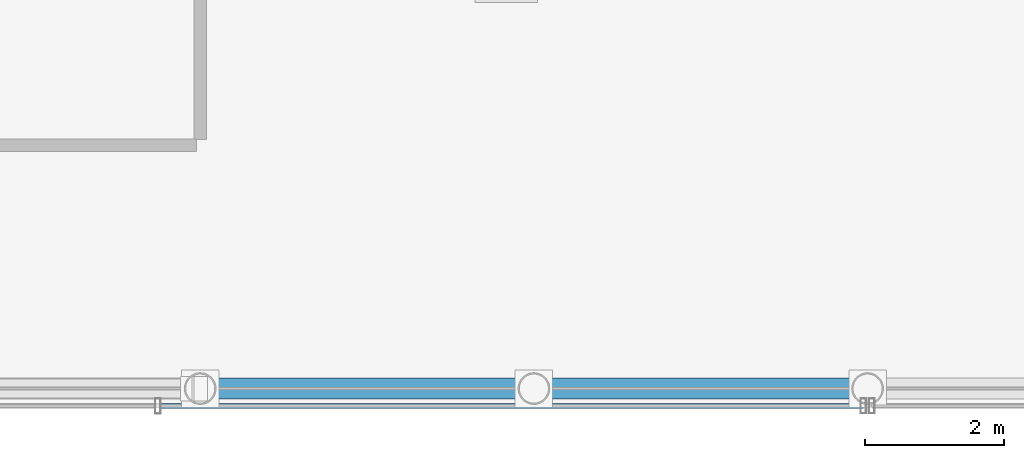
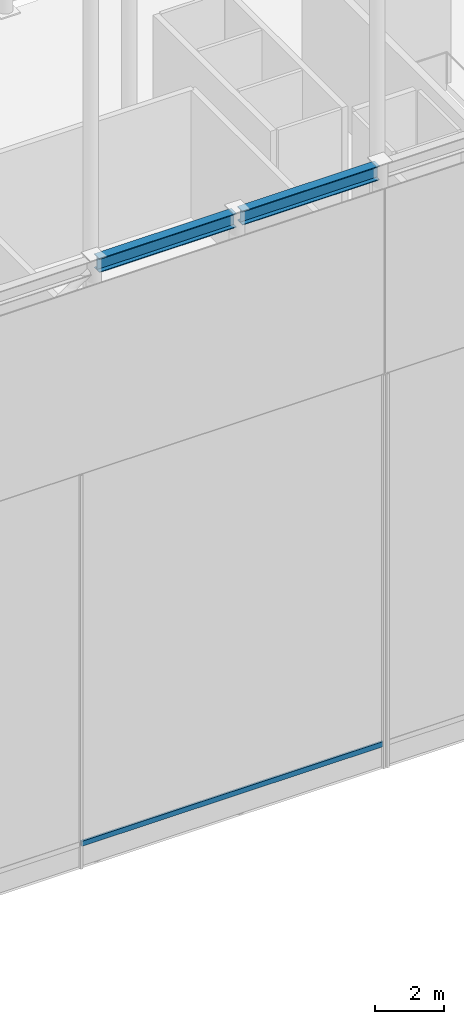
# One storey, part 9 of 42: 2 beams, 1 member, 1 element without a shape of its own.
"""IFC4 building model written with IfcOpenShell, lengths in metres."""

from ifc_helpers import new_model, si_unit, direction, frame, origin, origin_2d, place, context, subcontext, project, spatial, hollow_rectangle, i_section, extrude, material, layer, layer_set, material_profile, profile_set, type_object, element, aggregate, save


model = new_model("IFC4")

# Units and contexts
model_context = context("Model", 3, precision=1e-05, world=origin(), true_north=direction((0.0, 1.0)))
body_context = subcontext(model_context, "Body", "Model", "MODEL_VIEW")
ifc_project = project(units=[si_unit("LENGTHUNIT", "METRE"), si_unit("AREAUNIT", "SQUARE_METRE"), si_unit("VOLUMEUNIT", "CUBIC_METRE"), si_unit("PLANEANGLEUNIT", "RADIAN"), si_unit("MASSUNIT", "GRAM", prefix="KILO")], contexts=[model_context])

# Site, building, storey
site_placement = place(None, origin())
site = spatial("IfcSite", under=ifc_project, at=site_placement, CompositionType="ELEMENT")
building_placement = place(site_placement, origin())
building = spatial("IfcBuilding", under=site, at=building_placement, Name="Kallvorn Hotel Tower", CompositionType="ELEMENT")
storey_placement = place(building_placement, frame((0.0, 0.0, 306.0)))
storey = spatial("IfcBuildingStorey", under=building, at=storey_placement, Name="ROOF", CompositionType="ELEMENT", Elevation=306.0)

# Beams
ifc_material_1 = material(Name="Structural steel S355JR", Category="steel")
ifc_material_profile_1 = material_profile(ifc_material_1, i_section(OverallWidth=0.300048828125, OverallDepth=0.5, WebThickness=0.014404296875, FlangeThickness=0.028076171875, at=origin_2d()), Name="HE 500 B")
ifc_profile_set_1 = profile_set([ifc_material_profile_1], Name="Structural steel S355JR")
beam_type = type_object("IfcBeamType", Name="BM_HE500B", PredefinedType="SPANDREL", material=ifc_profile_set_1)
for number, where, z_axis, x_axis, name in (
    (1, (-14.300048828125, -24.0, 21.030029296875), (1.0, 0.0, 0.0), (0.0, 1.0, 0.0), "CROWN FRAME Top Ring Beam 03"),
    (2, (-9.5, -24.0, 21.030029296875), (1.0, 0.0, 0.0), (0.0, 1.0, 0.0), "CROWN FRAME Top Ring Beam 04"),
):
    element("IfcBeam", number, at=place(storey_placement, frame(where, z_axis=z_axis, x_axis=x_axis)), inside=storey, type_object=beam_type, Name=name, PredefinedType="SPANDREL", context=body_context, shape_type="SweptSolid", body=[
        extrude(i_section(OverallWidth=0.300048828125, OverallDepth=0.5, WebThickness=0.014404296875, FlangeThickness=0.028076171875, at=origin_2d()), origin(), (0.0, 0.0, 1.0), 4.60009765625),
    ])

# Curtain wall, member
ifc_material_2 = material(Name="Thermally broken black-anodised aluminium AA 6063-T6", Category="aluminium")
ifc_layer = layer(ifc_material_2, 0.18994140625)
ifc_layer_set = layer_set([ifc_layer], Name="CW_SYS_7_CROWN_DRUM")
curtain_wall_type = type_object("IfcCurtainWallType", Name="CW_SYS_7_CROWN_DRUM", PredefinedType="USERDEFINED", material=ifc_layer_set)
curtain_wall_placement = place(storey_placement, origin())
curtain_wall = element("IfcCurtainWall", 3, at=curtain_wall_placement, inside=storey, type_object=curtain_wall_type, Name="ROOF Dark-Glass Curtain Wall CW-ROOF-S1", ObjectType="UNITISED CURTAIN WALL", PredefinedType="USERDEFINED")
ifc_material_3 = material(Name="Thermally broken black-anodised aluminium AA 6063-T6", Category="aluminium")
ifc_material_profile_2 = material_profile(ifc_material_3, hollow_rectangle(XDim=0.070068359375, YDim=0.179931640625, WallThickness=0.00390625, at=origin_2d()), Name="TRN 180x70")
ifc_profile_set_2 = profile_set([ifc_material_profile_2], Name="Thermally broken black-anodised aluminium AA 6063-T6")
member_type = type_object("IfcMemberType", Name="CW_TRANSOM_180x70", PredefinedType="USERDEFINED", material=ifc_profile_set_2)
member_placement = place(storey_placement, frame((-14.969970703125, -24.25, 0.85009765625), z_axis=(1.0, 0.0, 0.0), x_axis=(0.0, 1.0, 0.0)))
member = element("IfcMember", 4, at=member_placement, type_object=member_type, Name="CW-ROOF-S1 Transom 01M", ObjectType="TRANSOM", PredefinedType="USERDEFINED", context=body_context, shape_type="SweptSolid", body=[
    extrude(hollow_rectangle(XDim=0.070068359375, YDim=0.179931640625, WallThickness=0.00390625, at=origin_2d()), origin(), (0.0, 0.0, 1.0), 10.10986328125),
])
aggregate(curtain_wall, [member])

save(model, "model.ifc")
